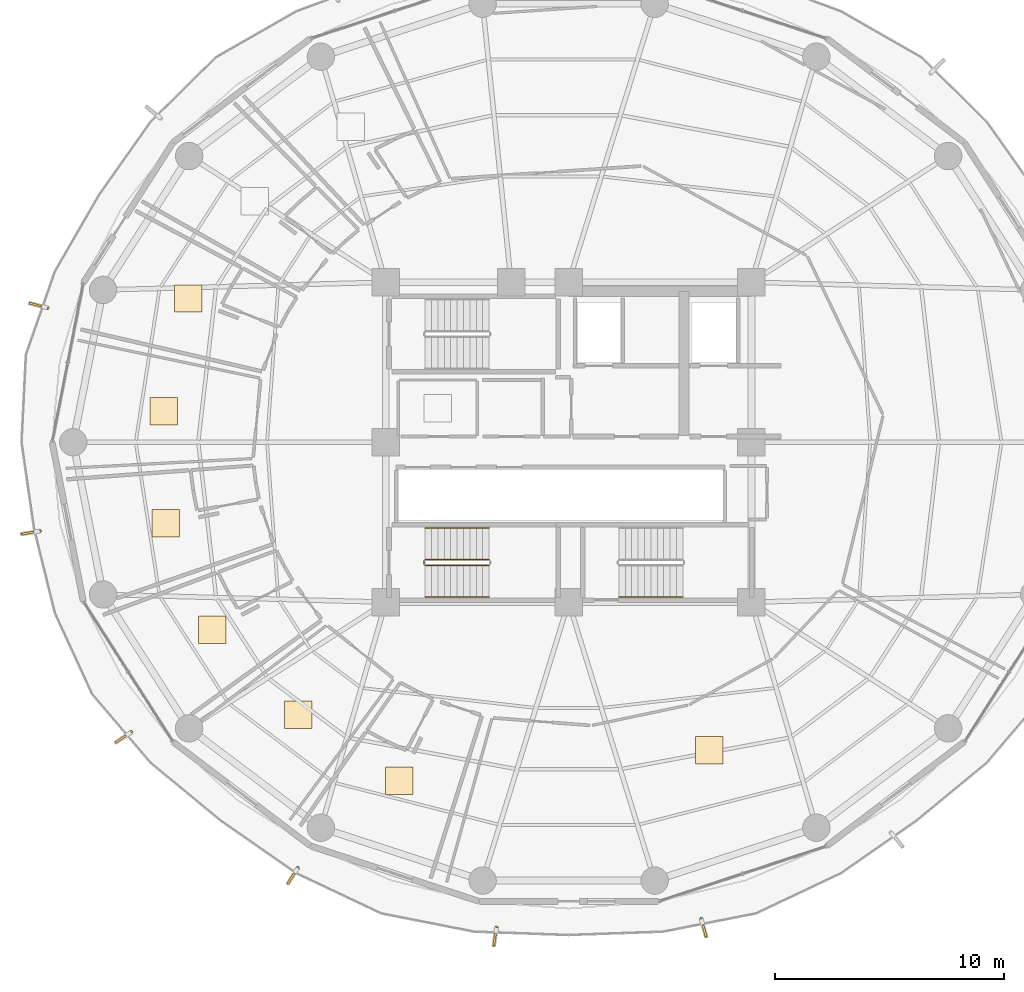
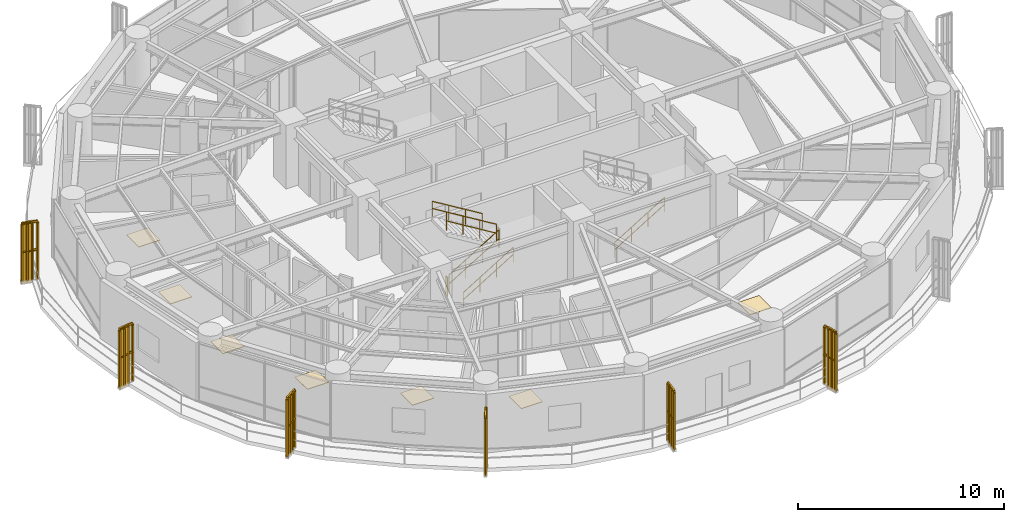
# One storey, part 26 of 29: 12 railings, 7 coverings, 6 shading devices.
"""IFC4 building model written with IfcOpenShell, lengths in metres."""

from ifc_helpers import new_model, si_unit, direction, frame, origin, origin_2d, place, context, subcontext, project, spatial, polyline, rectangle, outline, extrude, source, transform, mapped, material, layer, layer_set, type_object, element, save


model = new_model("IFC4")

# Units and contexts
model_context = context("Model", 3, precision=1e-05, world=origin(), true_north=direction((0.0, 1.0)))
body_context = subcontext(model_context, "Body", "Model", "MODEL_VIEW")
ifc_project = project(units=[si_unit("LENGTHUNIT", "METRE"), si_unit("AREAUNIT", "SQUARE_METRE"), si_unit("VOLUMEUNIT", "CUBIC_METRE"), si_unit("PLANEANGLEUNIT", "RADIAN"), si_unit("MASSUNIT", "GRAM", prefix="KILO")], contexts=[model_context])

# Site, building, storey
site_placement = place(None, origin())
site = spatial("IfcSite", under=ifc_project, at=site_placement, CompositionType="ELEMENT")
building_placement = place(site_placement, origin())
building = spatial("IfcBuilding", under=site, at=building_placement, Name="Kelanora Arch Commons", CompositionType="ELEMENT")
storey_placement = place(building_placement, frame((0.0, 0.0, 135.60009765625)))
storey = spatial("IfcBuildingStorey", under=building, at=storey_placement, Name="L34", CompositionType="ELEMENT", Elevation=135.60009765625)

# Railings
ifc_material_1 = material(Name="Anodised bronze vertical shading fin rib assembly")
railing_type_1 = type_object("IfcRailingType", Name="RAIL-FIN-BRZ", PredefinedType="BALUSTRADE", material=ifc_material_1)
railing_1_placement = place(storey_placement, frame((51.196044921875, 63.879638671875, -0.02001953125)))
element("IfcRailing", 1, at=railing_1_placement, inside=storey, type_object=railing_type_1, Name="Sweeping Bronze Vertical Fin Blade L34-06", PredefinedType="BALUSTRADE", context=body_context, shape_type="SweptSolid", body=[
    extrude(outline(polyline([(0.06982421875, 0.0), (0.034912109375, 0.060546875), (-0.034912109375, 0.060546875), (-0.06982421875, 0.0), (-0.034912109375, -0.060546875), (0.034912109375, -0.060546875), (0.06982421875, 0.0)])), frame((0.0, 0.0, 3.419921875), z_axis=(-0.968339223379, 0.249638034896, 0.0), x_axis=(-0.249638034896, -0.968339223379, 0.0)), (0.0, 0.0, 1.0), 0.800048828125),
    extrude(outline(polyline([(0.06982421875, 0.0), (0.034912109375, 0.060546875), (-0.034912109375, 0.060546875), (-0.06982421875, 0.0), (-0.034912109375, -0.060546875), (0.034912109375, -0.060546875), (0.06982421875, 0.0)])), frame((0.0, 0.0, 1.7451171875), z_axis=(-0.968339223379, 0.249638034896, 0.0), x_axis=(-0.249638034896, -0.968339223379, 0.0)), (0.0, 0.0, 1.0), 0.800048828125),
    extrude(outline(polyline([(0.080078125, 0.0), (0.0400390625, 0.0693359375), (-0.0400390625, 0.0693359375), (-0.080078125, 0.0), (-0.0400390625, -0.0693359375), (0.0400390625, -0.0693359375), (0.080078125, 0.0)])), origin(), (0.0, 0.0, 1.0), 3.35009765625),
    extrude(outline(polyline([(0.080078125, 0.0), (0.0400390625, 0.0693359375), (-0.0400390625, 0.0693359375), (-0.080078125, 0.0), (-0.0400390625, -0.0693359375), (0.0400390625, -0.0693359375), (0.080078125, 0.0)])), frame((-0.25830078125, 0.066650390625, 0.0)), (0.0, 0.0, 1.0), 3.35009765625),
    extrude(outline(polyline([(0.080078125, 0.0), (0.0400390625, 0.0693359375), (-0.0400390625, 0.0693359375), (-0.080078125, 0.0), (-0.0400390625, -0.0693359375), (0.0400390625, -0.0693359375), (0.080078125, 0.0)])), frame((-0.516357421875, 0.133056640625, 0.0)), (0.0, 0.0, 1.0), 3.35009765625),
    extrude(outline(polyline([(0.080078125, 0.0), (0.0400390625, 0.0693359375), (-0.0400390625, 0.0693359375), (-0.080078125, 0.0), (-0.0400390625, -0.0693359375), (0.0400390625, -0.0693359375), (0.080078125, 0.0)])), frame((-0.774658203125, 0.19970703125, 0.0)), (0.0, 0.0, 1.0), 3.35009765625),
])
railing_2_placement = place(storey_placement, frame((50.861572265625, 54.110595703125, -0.02001953125)))
element("IfcRailing", 2, at=railing_2_placement, inside=storey, type_object=railing_type_1, Name="Sweeping Bronze Vertical Fin Blade L34-07", PredefinedType="BALUSTRADE", context=body_context, shape_type="SweptSolid", body=[
    extrude(outline(polyline([(0.06982421875, 0.0), (0.034912109375, 0.060546875), (-0.034912109375, 0.060546875), (-0.06982421875, 0.0), (-0.034912109375, -0.060546875), (0.034912109375, -0.060546875), (0.06982421875, 0.0)])), frame((0.0, 0.0, 3.419921875), z_axis=(-0.986128770666, -0.16598207031, 0.0), x_axis=(0.16598207031, -0.986128770666, 0.0)), (0.0, 0.0, 1.0), 0.800048828125),
    extrude(outline(polyline([(0.06982421875, 0.0), (0.034912109375, 0.060546875), (-0.034912109375, 0.060546875), (-0.06982421875, 0.0), (-0.034912109375, -0.060546875), (0.034912109375, -0.060546875), (0.06982421875, 0.0)])), frame((0.0, 0.0, 1.7451171875), z_axis=(-0.986128770666, -0.16598207031, 0.0), x_axis=(0.16598207031, -0.986128770666, 0.0)), (0.0, 0.0, 1.0), 0.800048828125),
    extrude(outline(polyline([(0.080078125, 0.0), (0.0400390625, 0.0693359375), (-0.0400390625, 0.0693359375), (-0.080078125, 0.0), (-0.0400390625, -0.0693359375), (0.0400390625, -0.0693359375), (0.080078125, 0.0)])), origin(), (0.0, 0.0, 1.0), 3.35009765625),
    extrude(outline(polyline([(0.080078125, 0.0), (0.0400390625, 0.0693359375), (-0.0400390625, 0.0693359375), (-0.080078125, 0.0), (-0.0400390625, -0.0693359375), (0.0400390625, -0.0693359375), (0.080078125, 0.0)])), frame((-0.262939453125, -0.044189453125, 0.0)), (0.0, 0.0, 1.0), 3.35009765625),
    extrude(outline(polyline([(0.080078125, 0.0), (0.0400390625, 0.0693359375), (-0.0400390625, 0.0693359375), (-0.080078125, 0.0), (-0.0400390625, -0.0693359375), (0.0400390625, -0.0693359375), (0.080078125, 0.0)])), frame((-0.526123046875, -0.088623046875, 0.0)), (0.0, 0.0, 1.0), 3.35009765625),
    extrude(outline(polyline([(0.080078125, 0.0), (0.0400390625, 0.0693359375), (-0.0400390625, 0.0693359375), (-0.080078125, 0.0), (-0.0400390625, -0.0693359375), (0.0400390625, -0.0693359375), (0.080078125, 0.0)])), frame((-0.7890625, -0.1328125, 0.0)), (0.0, 0.0, 1.0), 3.35009765625),
])
railing_3_placement = place(storey_placement, frame((54.856689453125, 45.30908203125, -0.02001953125)))
element("IfcRailing", 3, at=railing_3_placement, inside=storey, type_object=railing_type_1, Name="Sweeping Bronze Vertical Fin Blade L34-08", PredefinedType="BALUSTRADE", context=body_context, shape_type="SweptSolid", body=[
    extrude(outline(polyline([(0.06982421875, 0.0), (0.034912109375, 0.060546875), (-0.034912109375, 0.060546875), (-0.06982421875, 0.0), (-0.034912109375, -0.060546875), (0.034912109375, -0.060546875), (0.06982421875, 0.0)])), frame((0.0, 0.0, 3.419921875), z_axis=(-0.83354985233, -0.552444244862, 0.0), x_axis=(0.552444244862, -0.83354985233, 0.0)), (0.0, 0.0, 1.0), 0.7998046875),
    extrude(outline(polyline([(0.06982421875, 0.0), (0.034912109375, 0.060546875), (-0.034912109375, 0.060546875), (-0.06982421875, 0.0), (-0.034912109375, -0.060546875), (0.034912109375, -0.060546875), (0.06982421875, 0.0)])), frame((0.0, 0.0, 1.7451171875), z_axis=(-0.83354985233, -0.552444244862, 0.0), x_axis=(0.552444244862, -0.83354985233, 0.0)), (0.0, 0.0, 1.0), 0.7998046875),
    extrude(outline(polyline([(0.080078125, 0.0), (0.0400390625, 0.0693359375), (-0.0400390625, 0.0693359375), (-0.080078125, 0.0), (-0.0400390625, -0.0693359375), (0.0400390625, -0.0693359375), (0.080078125, 0.0)])), origin(), (0.0, 0.0, 1.0), 3.35009765625),
    extrude(outline(polyline([(0.080078125, 0.0), (0.0400390625, 0.0693359375), (-0.0400390625, 0.0693359375), (-0.080078125, 0.0), (-0.0400390625, -0.0693359375), (0.0400390625, -0.0693359375), (0.080078125, 0.0)])), frame((-0.22216796875, -0.147216796875, 0.0)), (0.0, 0.0, 1.0), 3.35009765625),
    extrude(outline(polyline([(0.080078125, 0.0), (0.0400390625, 0.0693359375), (-0.0400390625, 0.0693359375), (-0.080078125, 0.0), (-0.0400390625, -0.0693359375), (0.0400390625, -0.0693359375), (0.080078125, 0.0)])), frame((-0.444580078125, -0.294677734375, 0.0)), (0.0, 0.0, 1.0), 3.35009765625),
    extrude(outline(polyline([(0.080078125, 0.0), (0.0400390625, 0.0693359375), (-0.0400390625, 0.0693359375), (-0.080078125, 0.0), (-0.0400390625, -0.0693359375), (0.0400390625, -0.0693359375), (0.080078125, 0.0)])), frame((-0.666748046875, -0.44189453125, 0.0)), (0.0, 0.0, 1.0), 3.35009765625),
])
railing_4_placement = place(storey_placement, frame((62.148193359375, 39.3662109375, -0.02001953125)))
element("IfcRailing", 4, at=railing_4_placement, inside=storey, type_object=railing_type_1, Name="Sweeping Bronze Vertical Fin Blade L34-09", PredefinedType="BALUSTRADE", context=body_context, shape_type="SweptSolid", body=[
    extrude(outline(polyline([(0.06982421875, 0.0), (0.034912109375, 0.060546875), (-0.034912109375, 0.060546875), (-0.06982421875, 0.0), (-0.034912109375, -0.060546875), (0.034912109375, -0.060546875), (0.06982421875, 0.0)])), frame((0.0, 0.0, 3.419921875), z_axis=(-0.536757017304, -0.843736869157, 0.0), x_axis=(0.843736869157, -0.536757017304, 0.0)), (0.0, 0.0, 1.0), 0.800048828125),
    extrude(outline(polyline([(0.06982421875, 0.0), (0.034912109375, 0.060546875), (-0.034912109375, 0.060546875), (-0.06982421875, 0.0), (-0.034912109375, -0.060546875), (0.034912109375, -0.060546875), (0.06982421875, 0.0)])), frame((0.0, 0.0, 1.7451171875), z_axis=(-0.536757017304, -0.843736869157, 0.0), x_axis=(0.843736869157, -0.536757017304, 0.0)), (0.0, 0.0, 1.0), 0.800048828125),
    extrude(outline(polyline([(0.080078125, 0.0), (0.0400390625, 0.0693359375), (-0.0400390625, 0.0693359375), (-0.080078125, 0.0), (-0.0400390625, -0.0693359375), (0.0400390625, -0.0693359375), (0.080078125, 0.0)])), origin(), (0.0, 0.0, 1.0), 3.35009765625),
    extrude(outline(polyline([(0.080078125, 0.0), (0.0400390625, 0.0693359375), (-0.0400390625, 0.0693359375), (-0.080078125, 0.0), (-0.0400390625, -0.0693359375), (0.0400390625, -0.0693359375), (0.080078125, 0.0)])), frame((-0.14306640625, -0.22509765625, 0.0)), (0.0, 0.0, 1.0), 3.35009765625),
    extrude(outline(polyline([(0.080078125, 0.0), (0.0400390625, 0.0693359375), (-0.0400390625, 0.0693359375), (-0.080078125, 0.0), (-0.0400390625, -0.0693359375), (0.0400390625, -0.0693359375), (0.080078125, 0.0)])), frame((-0.286376953125, -0.449951171875, 0.0)), (0.0, 0.0, 1.0), 3.35009765625),
    extrude(outline(polyline([(0.080078125, 0.0), (0.0400390625, 0.0693359375), (-0.0400390625, 0.0693359375), (-0.080078125, 0.0), (-0.0400390625, -0.0693359375), (0.0400390625, -0.0693359375), (0.080078125, 0.0)])), frame((-0.429443359375, -0.675048828125, 0.0)), (0.0, 0.0, 1.0), 3.35009765625),
])
railing_5_placement = place(storey_placement, frame((70.84326171875, 36.7705078125, -0.02001953125)))
element("IfcRailing", 5, at=railing_5_placement, inside=storey, type_object=railing_type_1, Name="Sweeping Bronze Vertical Fin Blade L34-10", PredefinedType="BALUSTRADE", context=body_context, shape_type="SweptSolid", body=[
    extrude(outline(polyline([(0.06982421875, 0.0), (0.034912109375, 0.060546875), (-0.034912109375, 0.060546875), (-0.06982421875, 0.0), (-0.034912109375, -0.060546875), (0.034912109375, -0.060546875), (0.06982421875, 0.0)])), frame((0.0, 0.0, 3.419921875), z_axis=(-0.147101667375, -0.989121377514, 0.0), x_axis=(0.989121377514, -0.147101667375, 0.0)), (0.0, 0.0, 1.0), 0.800048828125),
    extrude(outline(polyline([(0.06982421875, 0.0), (0.034912109375, 0.060546875), (-0.034912109375, 0.060546875), (-0.06982421875, 0.0), (-0.034912109375, -0.060546875), (0.034912109375, -0.060546875), (0.06982421875, 0.0)])), frame((0.0, 0.0, 1.7451171875), z_axis=(-0.147101667375, -0.989121377514, 0.0), x_axis=(0.989121377514, -0.147101667375, 0.0)), (0.0, 0.0, 1.0), 0.800048828125),
    extrude(outline(polyline([(0.080078125, 0.0), (0.0400390625, 0.0693359375), (-0.0400390625, 0.0693359375), (-0.080078125, 0.0), (-0.0400390625, -0.0693359375), (0.0400390625, -0.0693359375), (0.080078125, 0.0)])), origin(), (0.0, 0.0, 1.0), 3.35009765625),
    extrude(outline(polyline([(0.080078125, 0.0), (0.0400390625, 0.0693359375), (-0.0400390625, 0.0693359375), (-0.080078125, 0.0), (-0.0400390625, -0.0693359375), (0.0400390625, -0.0693359375), (0.080078125, 0.0)])), frame((-0.039306640625, -0.263671875, 0.0)), (0.0, 0.0, 1.0), 3.35009765625),
    extrude(outline(polyline([(0.080078125, 0.0), (0.0400390625, 0.0693359375), (-0.0400390625, 0.0693359375), (-0.080078125, 0.0), (-0.0400390625, -0.0693359375), (0.0400390625, -0.0693359375), (0.080078125, 0.0)])), frame((-0.078369140625, -0.527587890625, 0.0)), (0.0, 0.0, 1.0), 3.35009765625),
    extrude(outline(polyline([(0.080078125, 0.0), (0.0400390625, 0.0693359375), (-0.0400390625, 0.0693359375), (-0.080078125, 0.0), (-0.0400390625, -0.0693359375), (0.0400390625, -0.0693359375), (0.080078125, 0.0)])), frame((-0.11767578125, -0.791259765625, 0.0)), (0.0, 0.0, 1.0), 3.35009765625),
])
railing_6_placement = place(storey_placement, frame((79.802001953125, 37.1376953125, -0.02001953125)))
element("IfcRailing", 6, at=railing_6_placement, inside=storey, type_object=railing_type_1, Name="Sweeping Bronze Vertical Fin Blade L34-11", PredefinedType="BALUSTRADE", context=body_context, shape_type="SweptSolid", body=[
    extrude(outline(polyline([(0.06982421875, 0.0), (0.034912109375, 0.060546875), (-0.034912109375, 0.060546875), (-0.06982421875, 0.0), (-0.034912109375, -0.060546875), (0.034912109375, -0.060546875), (0.06982421875, 0.0)])), frame((0.0, 0.0, 3.419921875), z_axis=(0.267942904073, -0.963434792893, 0.0), x_axis=(0.963434792893, 0.267942904073, 0.0)), (0.0, 0.0, 1.0), 0.800048828125),
    extrude(outline(polyline([(0.06982421875, 0.0), (0.034912109375, 0.060546875), (-0.034912109375, 0.060546875), (-0.06982421875, 0.0), (-0.034912109375, -0.060546875), (0.034912109375, -0.060546875), (0.06982421875, 0.0)])), frame((0.0, 0.0, 1.7451171875), z_axis=(0.267942904073, -0.963434792893, 0.0), x_axis=(0.963434792893, 0.267942904073, 0.0)), (0.0, 0.0, 1.0), 0.800048828125),
    extrude(outline(polyline([(0.080078125, 0.0), (0.0400390625, 0.0693359375), (-0.0400390625, 0.0693359375), (-0.080078125, 0.0), (-0.0400390625, -0.0693359375), (0.0400390625, -0.0693359375), (0.080078125, 0.0)])), origin(), (0.0, 0.0, 1.0), 3.35009765625),
    extrude(outline(polyline([(0.080078125, 0.0), (0.0400390625, 0.0693359375), (-0.0400390625, 0.0693359375), (-0.080078125, 0.0), (-0.0400390625, -0.0693359375), (0.0400390625, -0.0693359375), (0.080078125, 0.0)])), frame((0.071533203125, -0.2568359375, 0.0)), (0.0, 0.0, 1.0), 3.35009765625),
    extrude(outline(polyline([(0.080078125, 0.0), (0.0400390625, 0.0693359375), (-0.0400390625, 0.0693359375), (-0.080078125, 0.0), (-0.0400390625, -0.0693359375), (0.0400390625, -0.0693359375), (0.080078125, 0.0)])), frame((0.142822265625, -0.513916015625, 0.0)), (0.0, 0.0, 1.0), 3.35009765625),
    extrude(outline(polyline([(0.080078125, 0.0), (0.0400390625, 0.0693359375), (-0.0400390625, 0.0693359375), (-0.080078125, 0.0), (-0.0400390625, -0.0693359375), (0.0400390625, -0.0693359375), (0.080078125, 0.0)])), frame((0.21435546875, -0.770751953125, 0.0)), (0.0, 0.0, 1.0), 3.35009765625),
])
ifc_material_2 = material(Name="Painted steel stair well guard", Category="steel")
railing_type_2 = type_object("IfcRailingType", Name="RAIL-STAIR-GRD", PredefinedType="GUARDRAIL", material=ifc_material_2)
railing_7_placement = place(storey_placement, frame((67.719970703125, 52.610107421875, 0.17041015625)))
element("IfcRailing", 7, at=railing_7_placement, inside=storey, type_object=railing_type_2, Name="L34 ST-T3 stair guard 1", PredefinedType="GUARDRAIL", context=body_context, shape_type="SweptSolid", body=[
    extrude(outline(polyline([(0.02392578125, 0.0), (0.011962890625, 0.020751953125), (-0.011962890625, 0.020751953125), (-0.02392578125, 0.0), (-0.011962890625, -0.020751953125), (0.011962890625, -0.020751953125), (0.02392578125, 0.0)])), frame((0.0, 0.0, 1.076171875), z_axis=(0.854169791009, 0.0, 0.51999420009), x_axis=(0.0, 1.0, 0.0)), (0.0, 0.0, 1.0), 3.278076171875),
    extrude(outline(polyline([(0.02392578125, 0.0), (0.011962890625, 0.020751953125), (-0.011962890625, 0.020751953125), (-0.02392578125, 0.0), (-0.011962890625, -0.020751953125), (0.011962890625, -0.020751953125), (0.02392578125, 0.0)])), frame((0.0, 0.0, 0.550048828125), z_axis=(0.854169791009, 0.0, 0.51999420009), x_axis=(0.0, 1.0, 0.0)), (0.0, 0.0, 1.0), 3.278076171875),
    extrude(outline(polyline([(0.02099609375, 0.0), (0.010498046875, 0.01806640625), (-0.010498046875, 0.01806640625), (-0.02099609375, 0.0), (-0.010498046875, -0.01806640625), (0.010498046875, -0.01806640625), (0.02099609375, 0.0)])), origin(), (0.0, 0.0, 1.0), 1.052001953125),
    extrude(outline(polyline([(0.02099609375, 0.0), (0.010498046875, 0.01806640625), (-0.010498046875, 0.01806640625), (-0.02099609375, 0.0), (-0.010498046875, -0.01806640625), (0.010498046875, -0.01806640625), (0.02099609375, 0.0)])), frame((0.933349609375, 0.0, 0.568115234375)), (0.0, 0.0, 1.0), 1.052001953125),
    extrude(outline(polyline([(0.02099609375, 0.0), (0.010498046875, 0.01806640625), (-0.010498046875, 0.01806640625), (-0.02099609375, 0.0), (-0.010498046875, -0.01806640625), (0.010498046875, -0.01806640625), (0.02099609375, 0.0)])), frame((1.86669921875, 0.0, 1.136474609375)), (0.0, 0.0, 1.0), 1.052001953125),
    extrude(outline(polyline([(0.02099609375, 0.0), (0.010498046875, 0.01806640625), (-0.010498046875, 0.01806640625), (-0.02099609375, 0.0), (-0.010498046875, -0.01806640625), (0.010498046875, -0.01806640625), (0.02099609375, 0.0)])), frame((2.800048828125, 0.0, 1.70458984375)), (0.0, 0.0, 1.0), 1.052001953125),
])
railing_8_placement = place(storey_placement, frame((70.52001953125, 52.860107421875, 2.04541015625)))
element("IfcRailing", 8, at=railing_8_placement, inside=storey, type_object=railing_type_2, Name="L34 ST-T3 stair guard 3", PredefinedType="GUARDRAIL", context=body_context, shape_type="SweptSolid", body=[
    extrude(outline(polyline([(0.02392578125, 0.0), (0.011962890625, 0.020751953125), (-0.011962890625, 0.020751953125), (-0.02392578125, 0.0), (-0.011962890625, -0.020751953125), (0.011962890625, -0.020751953125), (0.02392578125, 0.0)])), frame((0.0, 0.0, 1.076171875), z_axis=(-0.854169791009, 0.0, 0.51999420009), x_axis=(0.0, -1.0, 0.0)), (0.0, 0.0, 1.0), 3.278076171875),
    extrude(outline(polyline([(0.02392578125, 0.0), (0.011962890625, 0.020751953125), (-0.011962890625, 0.020751953125), (-0.02392578125, 0.0), (-0.011962890625, -0.020751953125), (0.011962890625, -0.020751953125), (0.02392578125, 0.0)])), frame((0.0, 0.0, 0.550048828125), z_axis=(-0.854169791009, 0.0, 0.51999420009), x_axis=(0.0, -1.0, 0.0)), (0.0, 0.0, 1.0), 3.278076171875),
    extrude(outline(polyline([(0.02099609375, 0.0), (0.010498046875, 0.01806640625), (-0.010498046875, 0.01806640625), (-0.02099609375, 0.0), (-0.010498046875, -0.01806640625), (0.010498046875, -0.01806640625), (0.02099609375, 0.0)])), origin(), (0.0, 0.0, 1.0), 1.052001953125),
    extrude(outline(polyline([(0.02099609375, 0.0), (0.010498046875, 0.01806640625), (-0.010498046875, 0.01806640625), (-0.02099609375, 0.0), (-0.010498046875, -0.01806640625), (0.010498046875, -0.01806640625), (0.02099609375, 0.0)])), frame((-0.933349609375, 0.0, 0.568115234375)), (0.0, 0.0, 1.0), 1.052001953125),
    extrude(outline(polyline([(0.02099609375, 0.0), (0.010498046875, 0.01806640625), (-0.010498046875, 0.01806640625), (-0.02099609375, 0.0), (-0.010498046875, -0.01806640625), (0.010498046875, -0.01806640625), (0.02099609375, 0.0)])), frame((-1.86669921875, 0.0, 1.136474609375)), (0.0, 0.0, 1.0), 1.052001953125),
    extrude(outline(polyline([(0.02099609375, 0.0), (0.010498046875, 0.01806640625), (-0.010498046875, 0.01806640625), (-0.02099609375, 0.0), (-0.010498046875, -0.01806640625), (0.010498046875, -0.01806640625), (0.02099609375, 0.0)])), frame((-2.800048828125, 0.0, 1.70458984375)), (0.0, 0.0, 1.0), 1.052001953125),
])
railing_9_placement = place(storey_placement, frame((67.669921875, 52.659912109375, 0.0)))
element("IfcRailing", 9, at=railing_9_placement, inside=storey, type_object=railing_type_2, Name="L34 ST-T3 stair guard 4", PredefinedType="GUARDRAIL", context=body_context, shape_type="SweptSolid", body=[
    extrude(outline(polyline([(0.02392578125, 0.0), (0.011962890625, 0.020751953125), (-0.011962890625, 0.020751953125), (-0.02392578125, 0.0), (-0.011962890625, -0.020751953125), (0.011962890625, -0.020751953125), (0.02392578125, 0.0)])), frame((0.0, 0.0, 1.076171875), z_axis=(0.0, 1.0, 0.0), x_axis=(-1.0, 0.0, 0.0)), (0.0, 0.0, 1.0), 0.150146484375),
    extrude(outline(polyline([(0.02392578125, 0.0), (0.011962890625, 0.020751953125), (-0.011962890625, 0.020751953125), (-0.02392578125, 0.0), (-0.011962890625, -0.020751953125), (0.011962890625, -0.020751953125), (0.02392578125, 0.0)])), frame((0.0, 0.0, 0.550048828125), z_axis=(0.0, 1.0, 0.0), x_axis=(-1.0, 0.0, 0.0)), (0.0, 0.0, 1.0), 0.150146484375),
    extrude(outline(polyline([(0.02099609375, 0.0), (0.010498046875, 0.01806640625), (-0.010498046875, 0.01806640625), (-0.02099609375, 0.0), (-0.010498046875, -0.01806640625), (0.010498046875, -0.01806640625), (0.02099609375, 0.0)])), origin(), (0.0, 0.0, 1.0), 1.052001953125),
    extrude(outline(polyline([(0.02099609375, 0.0), (0.010498046875, 0.01806640625), (-0.010498046875, 0.01806640625), (-0.02099609375, 0.0), (-0.010498046875, -0.01806640625), (0.010498046875, -0.01806640625), (0.02099609375, 0.0)])), frame((0.0, 0.150146484375, 0.0)), (0.0, 0.0, 1.0), 1.052001953125),
])
ifc_material_3 = material(Name="Brushed stainless steel stair handrail", Category="steel")
railing_type_3 = type_object("IfcRailingType", Name="RAIL-STAIR-HND", PredefinedType="HANDRAIL", material=ifc_material_3)
railing_10_placement = place(storey_placement, frame((76.199951171875, 51.22998046875, 0.17041015625)))
element("IfcRailing", 10, at=railing_10_placement, inside=storey, type_object=railing_type_3, Name="L34 ST-T2 stair handrail 1", PredefinedType="HANDRAIL", context=body_context, shape_type="SweptSolid", body=[
    extrude(outline(polyline([(0.02392578125, 0.0), (0.011962890625, 0.020751953125), (-0.011962890625, 0.020751953125), (-0.02392578125, 0.0), (-0.011962890625, -0.020751953125), (0.011962890625, -0.020751953125), (0.02392578125, 0.0)])), frame((0.0, 0.0, 0.8759765625), z_axis=(0.854169791009, 0.0, 0.51999420009), x_axis=(0.0, 1.0, 0.0)), (0.0, 0.0, 1.0), 3.278076171875),
    extrude(outline(polyline([(0.02392578125, 0.0), (0.011962890625, 0.020751953125), (-0.011962890625, 0.020751953125), (-0.02392578125, 0.0), (-0.011962890625, -0.020751953125), (0.011962890625, -0.020751953125), (0.02392578125, 0.0)])), frame((0.0, 0.0, 0.449951171875), z_axis=(0.854169791009, 0.0, 0.51999420009), x_axis=(0.0, 1.0, 0.0)), (0.0, 0.0, 1.0), 3.278076171875),
    extrude(outline(polyline([(0.02099609375, 0.0), (0.010498046875, 0.01806640625), (-0.010498046875, 0.01806640625), (-0.02099609375, 0.0), (-0.010498046875, -0.01806640625), (0.010498046875, -0.01806640625), (0.02099609375, 0.0)])), origin(), (0.0, 0.0, 1.0), 0.851806640625),
    extrude(outline(polyline([(0.02099609375, 0.0), (0.010498046875, 0.01806640625), (-0.010498046875, 0.01806640625), (-0.02099609375, 0.0), (-0.010498046875, -0.01806640625), (0.010498046875, -0.01806640625), (0.02099609375, 0.0)])), frame((0.933349609375, 0.0, 0.568115234375)), (0.0, 0.0, 1.0), 0.851806640625),
    extrude(outline(polyline([(0.02099609375, 0.0), (0.010498046875, 0.01806640625), (-0.010498046875, 0.01806640625), (-0.02099609375, 0.0), (-0.010498046875, -0.01806640625), (0.010498046875, -0.01806640625), (0.02099609375, 0.0)])), frame((1.86669921875, 0.0, 1.136474609375)), (0.0, 0.0, 1.0), 0.851806640625),
    extrude(outline(polyline([(0.02099609375, 0.0), (0.010498046875, 0.01806640625), (-0.010498046875, 0.01806640625), (-0.02099609375, 0.0), (-0.010498046875, -0.01806640625), (0.010498046875, -0.01806640625), (0.02099609375, 0.0)])), frame((2.800048828125, 0.0, 1.70458984375)), (0.0, 0.0, 1.0), 0.851806640625),
])
railing_11_placement = place(storey_placement, frame((67.719970703125, 51.22998046875, 0.17041015625)))
element("IfcRailing", 11, at=railing_11_placement, inside=storey, type_object=railing_type_3, Name="L34 ST-T3 stair handrail 1", PredefinedType="HANDRAIL", context=body_context, shape_type="SweptSolid", body=[
    extrude(outline(polyline([(0.02392578125, 0.0), (0.011962890625, 0.020751953125), (-0.011962890625, 0.020751953125), (-0.02392578125, 0.0), (-0.011962890625, -0.020751953125), (0.011962890625, -0.020751953125), (0.02392578125, 0.0)])), frame((0.0, 0.0, 0.8759765625), z_axis=(0.854169791009, 0.0, 0.51999420009), x_axis=(0.0, 1.0, 0.0)), (0.0, 0.0, 1.0), 3.278076171875),
    extrude(outline(polyline([(0.02392578125, 0.0), (0.011962890625, 0.020751953125), (-0.011962890625, 0.020751953125), (-0.02392578125, 0.0), (-0.011962890625, -0.020751953125), (0.011962890625, -0.020751953125), (0.02392578125, 0.0)])), frame((0.0, 0.0, 0.449951171875), z_axis=(0.854169791009, 0.0, 0.51999420009), x_axis=(0.0, 1.0, 0.0)), (0.0, 0.0, 1.0), 3.278076171875),
    extrude(outline(polyline([(0.02099609375, 0.0), (0.010498046875, 0.01806640625), (-0.010498046875, 0.01806640625), (-0.02099609375, 0.0), (-0.010498046875, -0.01806640625), (0.010498046875, -0.01806640625), (0.02099609375, 0.0)])), origin(), (0.0, 0.0, 1.0), 0.851806640625),
    extrude(outline(polyline([(0.02099609375, 0.0), (0.010498046875, 0.01806640625), (-0.010498046875, 0.01806640625), (-0.02099609375, 0.0), (-0.010498046875, -0.01806640625), (0.010498046875, -0.01806640625), (0.02099609375, 0.0)])), frame((0.933349609375, 0.0, 0.568115234375)), (0.0, 0.0, 1.0), 0.851806640625),
    extrude(outline(polyline([(0.02099609375, 0.0), (0.010498046875, 0.01806640625), (-0.010498046875, 0.01806640625), (-0.02099609375, 0.0), (-0.010498046875, -0.01806640625), (0.010498046875, -0.01806640625), (0.02099609375, 0.0)])), frame((1.86669921875, 0.0, 1.136474609375)), (0.0, 0.0, 1.0), 0.851806640625),
    extrude(outline(polyline([(0.02099609375, 0.0), (0.010498046875, 0.01806640625), (-0.010498046875, 0.01806640625), (-0.02099609375, 0.0), (-0.010498046875, -0.01806640625), (0.010498046875, -0.01806640625), (0.02099609375, 0.0)])), frame((2.800048828125, 0.0, 1.70458984375)), (0.0, 0.0, 1.0), 0.851806640625),
])
railing_12_placement = place(storey_placement, frame((70.52001953125, 54.239990234375, 2.04541015625)))
element("IfcRailing", 12, at=railing_12_placement, inside=storey, type_object=railing_type_3, Name="L34 ST-T3 stair handrail 2", PredefinedType="HANDRAIL", context=body_context, shape_type="SweptSolid", body=[
    extrude(outline(polyline([(0.02392578125, 0.0), (0.011962890625, 0.020751953125), (-0.011962890625, 0.020751953125), (-0.02392578125, 0.0), (-0.011962890625, -0.020751953125), (0.011962890625, -0.020751953125), (0.02392578125, 0.0)])), frame((0.0, 0.0, 0.8759765625), z_axis=(-0.854169791009, 0.0, 0.51999420009), x_axis=(0.0, -1.0, 0.0)), (0.0, 0.0, 1.0), 3.278076171875),
    extrude(outline(polyline([(0.02392578125, 0.0), (0.011962890625, 0.020751953125), (-0.011962890625, 0.020751953125), (-0.02392578125, 0.0), (-0.011962890625, -0.020751953125), (0.011962890625, -0.020751953125), (0.02392578125, 0.0)])), frame((0.0, 0.0, 0.449951171875), z_axis=(-0.854169791009, 0.0, 0.51999420009), x_axis=(0.0, -1.0, 0.0)), (0.0, 0.0, 1.0), 3.278076171875),
    extrude(outline(polyline([(0.02099609375, 0.0), (0.010498046875, 0.01806640625), (-0.010498046875, 0.01806640625), (-0.02099609375, 0.0), (-0.010498046875, -0.01806640625), (0.010498046875, -0.01806640625), (0.02099609375, 0.0)])), origin(), (0.0, 0.0, 1.0), 0.851806640625),
    extrude(outline(polyline([(0.02099609375, 0.0), (0.010498046875, 0.01806640625), (-0.010498046875, 0.01806640625), (-0.02099609375, 0.0), (-0.010498046875, -0.01806640625), (0.010498046875, -0.01806640625), (0.02099609375, 0.0)])), frame((-0.933349609375, 0.0, 0.568115234375)), (0.0, 0.0, 1.0), 0.851806640625),
    extrude(outline(polyline([(0.02099609375, 0.0), (0.010498046875, 0.01806640625), (-0.010498046875, 0.01806640625), (-0.02099609375, 0.0), (-0.010498046875, -0.01806640625), (0.010498046875, -0.01806640625), (0.02099609375, 0.0)])), frame((-1.86669921875, 0.0, 1.136474609375)), (0.0, 0.0, 1.0), 0.851806640625),
    extrude(outline(polyline([(0.02099609375, 0.0), (0.010498046875, 0.01806640625), (-0.010498046875, 0.01806640625), (-0.02099609375, 0.0), (-0.010498046875, -0.01806640625), (0.010498046875, -0.01806640625), (0.02099609375, 0.0)])), frame((-2.800048828125, 0.0, 1.70458984375)), (0.0, 0.0, 1.0), 0.851806640625),
])

# Shading devices
ifc_material_4 = material(Name="Terracotta ceramic-clad extruded aluminium fin", Category="masonry")
shading_device_type = type_object("IfcShadingDeviceType", Name="SHD-FIN-WAIST", PredefinedType="USERDEFINED", material=ifc_material_4)
shared_shape_1 = source(origin(), body_context, "Body", "SweptSolid", [
    extrude(rectangle(XDim=0.56005859375, YDim=0.090087890625, at=origin_2d()), origin(), (0.0, 0.0, 1.0), 3.610107421875),
])
for number, where, z_axis, x_axis, name in (
    (13, (50.673095703125, 64.014404296875, -0.14013671875), (0.0, 0.0, 1.0), (-0.96832220265, 0.249704048534, 0.0), "Sweeping Terracotta Fin L34-06"),
    (14, (50.3291015625, 54.02099609375, -0.14013671875), (0.0, 0.0, 1.0), (-0.986170136229, -0.165736122828, 0.0), "Sweeping Terracotta Fin L34-07"),
    (15, (54.40673828125, 45.0107421875, -0.14013671875), (0.0, 0.0, 1.0), (-0.833500294179, -0.552519012888, 0.0), "Sweeping Terracotta Fin L34-08"),
    (16, (61.8583984375, 38.91064453125, -0.14013671875), (0.0, 0.0, 1.0), (-0.536710679153, -0.843766346142, 0.0), "Sweeping Terracotta Fin L34-09"),
    (17, (70.763671875, 36.236572265625, -0.14013671875), (0.0, 0.0, 1.0), (-0.147118911839, -0.989118812772, 0.0), "Sweeping Terracotta Fin L34-10"),
    (18, (79.94677734375, 36.617431640625, -0.14013671875), (0.0, 0.0, 1.0), (0.267911051866, -0.963443650811, 0.0), "Sweeping Terracotta Fin L34-11"),
):
    element("IfcShadingDevice", number, at=place(storey_placement, frame(where, z_axis=z_axis, x_axis=x_axis)), inside=storey, type_object=shading_device_type, Name=name, ObjectType="FIN", PredefinedType="USERDEFINED", context=body_context, shape_type="MappedRepresentation", body=[
        mapped(shared_shape_1, transform((0.0, 0.0, 0.0), scale=1.0)),
    ])

# Coverings
ifc_material_5 = material(Name="Polished local granite terrazzo flooring", Category="masonry")
ifc_layer = layer(ifc_material_5, 0.030029296875)
ifc_layer_set = layer_set([ifc_layer], Name="Polished local granite terrazzo flooring")
covering_type = type_object("IfcCoveringType", Name="COV-FLR-TER", PredefinedType="FLOORING", material=ifc_layer_set)
shared_shape_2 = source(origin(), body_context, "Body", "SweptSolid", [
    extrude(rectangle(XDim=1.199951171875, YDim=1.199951171875, at=origin_2d()), origin(), (0.0, 0.0, 1.0), 0.030029296875),
])
for number, where, z_axis, x_axis, name in (
    (19, (80.148681640625, 44.510986328125, 0.0), (0.0, 0.0, 1.0), (1.0, 0.0, 0.0), "South-East Social Sky Lounge L34 Terrazzo Finish"),
    (20, (57.3466796875, 64.287109375, 0.0), (0.0, 0.0, 1.0), (1.0, 0.0, 0.0), "Cluster Bedroom L34-03 Terrazzo Finish"),
    (21, (56.2900390625, 59.35205078125, 0.0), (0.0, 0.0, 1.0), (1.0, 0.0, 0.0), "Shared Cluster Kitchen L34-04 Terrazzo Finish"),
    (22, (56.378173828125, 54.444580078125, 0.0), (0.0, 0.0, 1.0), (1.0, 0.0, 0.0), "Cluster Bedroom L34-05 Terrazzo Finish"),
    (23, (58.41357421875, 49.7919921875, 0.0), (0.0, 0.0, 1.0), (1.0, 0.0, 0.0), "Cluster Bedroom L34-06 Terrazzo Finish"),
    (24, (62.1650390625, 46.069580078125, 0.0), (0.0, 0.0, 1.0), (1.0, 0.0, 0.0), "Social Sky Lounge L34-07 Terrazzo Finish"),
    (25, (66.57958984375, 43.185546875, 0.0), (0.0, 0.0, 1.0), (1.0, 0.0, 0.0), "Cluster Bedroom L34-08 Terrazzo Finish"),
):
    element("IfcCovering", number, at=place(storey_placement, frame(where, z_axis=z_axis, x_axis=x_axis)), inside=storey, type_object=covering_type, Name=name, PredefinedType="FLOORING", context=body_context, shape_type="MappedRepresentation", body=[
        mapped(shared_shape_2, transform((0.0, 0.0, 0.0), scale=1.0)),
    ])

save(model, "model.ifc")
